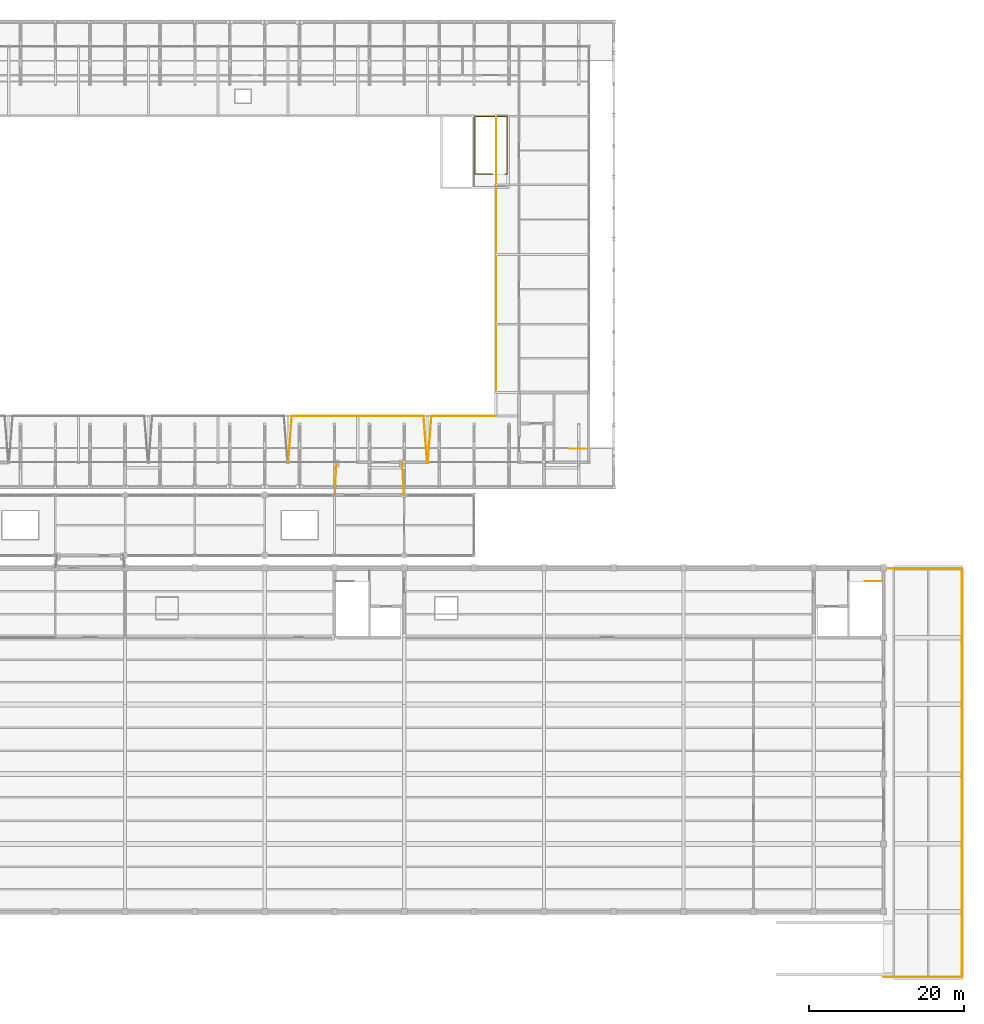
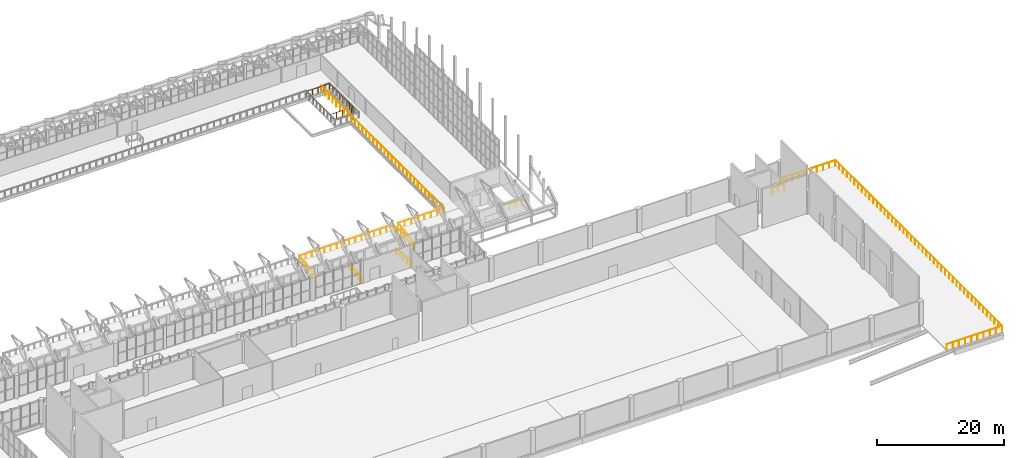
# One storey, part 134 of 134: 9 railings.
"""IFC4 building model written with IfcOpenShell, lengths in metres."""

from ifc_helpers import new_model, si_unit, direction, frame, origin, origin_2d, place, context, subcontext, project, spatial, circle, extrude, material, type_object, element, save


model = new_model("IFC4")

# Units and contexts
model_context = context("Model", 3, precision=1e-05, world=origin(), true_north=direction((0.0, 1.0)))
body_context = subcontext(model_context, "Body", "Model", "MODEL_VIEW")
ifc_project = project(units=[si_unit("LENGTHUNIT", "METRE"), si_unit("AREAUNIT", "SQUARE_METRE"), si_unit("VOLUMEUNIT", "CUBIC_METRE"), si_unit("PLANEANGLEUNIT", "RADIAN"), si_unit("MASSUNIT", "GRAM", prefix="KILO")], contexts=[model_context])

# Site, building, storey
site_placement = place(None, origin())
site = spatial("IfcSite", under=ifc_project, at=site_placement, CompositionType="ELEMENT")
building_placement = place(site_placement, origin())
building = spatial("IfcBuilding", under=site, at=building_placement, Name="Cazmaro Siding Exhibition Halls", CompositionType="ELEMENT")
storey_placement = place(building_placement, frame((0.0, 0.0, 12.0)))
storey = spatial("IfcBuildingStorey", under=building, at=storey_placement, Name="L02", CompositionType="ELEMENT", Elevation=12.0)

# Railings
ifc_material_1 = material(Name="Laminated Glass and Brushed Stainless Steel Balustrade", Category="steel")
railing_type_1 = type_object("IfcRailingType", Name="RL-BAL-01", PredefinedType="BALUSTRADE", material=ifc_material_1)
railing_1_placement = place(storey_placement, frame((135.050048828125, 63.0, 0.0)))
element("IfcRailing", 1, at=railing_1_placement, inside=storey, type_object=railing_type_1, Name="Bridge SB-02 West Guard L02 RL-BAL-01 RL-G043", PredefinedType="BALUSTRADE", context=body_context, shape_type="SweptSolid", body=[
    extrude(circle(Radius=0.02392578125, at=origin_2d()), frame((0.0, 0.0, 1.09619140625), z_axis=(0.047554114695, 0.998868663126, 0.0), x_axis=(-0.998868663126, 0.047554114695, 0.0)), (0.0, 0.0, 1.0), 4.20458984375),
    extrude(circle(Radius=0.02099609375, at=origin_2d()), origin(), (0.0, 0.0, 1.0), 1.072021484375),
    extrude(circle(Radius=0.02099609375, at=origin_2d()), frame((0.050048828125, 1.050048828125, 0.0)), (0.0, 0.0, 1.0), 1.072021484375),
    extrude(circle(Radius=0.02099609375, at=origin_2d()), frame((0.10009765625, 2.10009765625, 0.0)), (0.0, 0.0, 1.0), 1.072021484375),
    extrude(circle(Radius=0.02099609375, at=origin_2d()), frame((0.14990234375, 3.14990234375, 0.0)), (0.0, 0.0, 1.0), 1.072021484375),
    extrude(circle(Radius=0.02099609375, at=origin_2d()), frame((0.199951171875, 4.199951171875, 0.0)), (0.0, 0.0, 1.0), 1.072021484375),
])
railing_2_placement = place(storey_placement, frame((143.949951171875, 63.0, 0.0)))
element("IfcRailing", 2, at=railing_2_placement, inside=storey, type_object=railing_type_1, Name="Bridge SB-02 East Guard L02 RL-BAL-01 RL-G044", PredefinedType="BALUSTRADE", context=body_context, shape_type="SweptSolid", body=[
    extrude(circle(Radius=0.02392578125, at=origin_2d()), frame((0.0, 0.0, 1.09619140625), z_axis=(-0.047554114695, 0.998868663126, 0.0), x_axis=(-0.998868663126, -0.047554114695, 0.0)), (0.0, 0.0, 1.0), 4.20458984375),
    extrude(circle(Radius=0.02099609375, at=origin_2d()), origin(), (0.0, 0.0, 1.0), 1.072021484375),
    extrude(circle(Radius=0.02099609375, at=origin_2d()), frame((-0.050048828125, 1.050048828125, 0.0)), (0.0, 0.0, 1.0), 1.072021484375),
    extrude(circle(Radius=0.02099609375, at=origin_2d()), frame((-0.10009765625, 2.10009765625, 0.0)), (0.0, 0.0, 1.0), 1.072021484375),
    extrude(circle(Radius=0.02099609375, at=origin_2d()), frame((-0.14990234375, 3.14990234375, 0.0)), (0.0, 0.0, 1.0), 1.072021484375),
    extrude(circle(Radius=0.02099609375, at=origin_2d()), frame((-0.199951171875, 4.199951171875, 0.0)), (0.0, 0.0, 1.0), 1.072021484375),
])
ifc_material_2 = material(Name="Interior Laminated Glass and Brushed Stainless Steel Balustrade", Category="steel")
railing_type_2 = type_object("IfcRailingType", Name="RL-BAL-02", PredefinedType="BALUSTRADE", material=ifc_material_2)
railing_3_placement = place(storey_placement, frame((155.85009765625, 73.199951171875, 0.0)))
element("IfcRailing", 3, at=railing_3_placement, inside=storey, type_object=railing_type_2, Name="Hall A East Gallery Overlook Guard L02 RL-BAL-02 RL-G031", PredefinedType="BALUSTRADE", context=body_context, shape_type="SweptSolid", body=[
    extrude(circle(Radius=0.02392578125, at=origin_2d()), frame((0.0, 0.0, 1.09619140625), z_axis=(0.0, 1.0, 0.0), x_axis=(-1.0, 0.0, 0.0)), (0.0, 0.0, 1.0), 38.60009765625),
    extrude(circle(Radius=0.02099609375, at=origin_2d()), origin(), (0.0, 0.0, 1.0), 1.072021484375),
    extrude(circle(Radius=0.02099609375, at=origin_2d()), frame((0.0, 1.169677734375, 0.0)), (0.0, 0.0, 1.0), 1.072021484375),
    extrude(circle(Radius=0.02099609375, at=origin_2d()), frame((0.0, 2.33935546875, 0.0)), (0.0, 0.0, 1.0), 1.072021484375),
    extrude(circle(Radius=0.02099609375, at=origin_2d()), frame((0.0, 3.509033203125, 0.0)), (0.0, 0.0, 1.0), 1.072021484375),
    extrude(circle(Radius=0.02099609375, at=origin_2d()), frame((0.0, 4.6787109375, 0.0)), (0.0, 0.0, 1.0), 1.072021484375),
    extrude(circle(Radius=0.02099609375, at=origin_2d()), frame((0.0, 5.848388671875, 0.0)), (0.0, 0.0, 1.0), 1.072021484375),
    extrude(circle(Radius=0.02099609375, at=origin_2d()), frame((0.0, 7.018310546875, 0.0)), (0.0, 0.0, 1.0), 1.072021484375),
    extrude(circle(Radius=0.02099609375, at=origin_2d()), frame((0.0, 8.18798828125, 0.0)), (0.0, 0.0, 1.0), 1.072021484375),
    extrude(circle(Radius=0.02099609375, at=origin_2d()), frame((0.0, 9.357666015625, 0.0)), (0.0, 0.0, 1.0), 1.072021484375),
    extrude(circle(Radius=0.02099609375, at=origin_2d()), frame((0.0, 10.52734375, 0.0)), (0.0, 0.0, 1.0), 1.072021484375),
    extrude(circle(Radius=0.02099609375, at=origin_2d()), frame((0.0, 11.697021484375, 0.0)), (0.0, 0.0, 1.0), 1.072021484375),
    extrude(circle(Radius=0.02099609375, at=origin_2d()), frame((0.0, 12.86669921875, 0.0)), (0.0, 0.0, 1.0), 1.072021484375),
    extrude(circle(Radius=0.02099609375, at=origin_2d()), frame((0.0, 14.036376953125, 0.0)), (0.0, 0.0, 1.0), 1.072021484375),
    extrude(circle(Radius=0.02099609375, at=origin_2d()), frame((0.0, 15.2060546875, 0.0)), (0.0, 0.0, 1.0), 1.072021484375),
    extrude(circle(Radius=0.02099609375, at=origin_2d()), frame((0.0, 16.375732421875, 0.0)), (0.0, 0.0, 1.0), 1.072021484375),
    extrude(circle(Radius=0.02099609375, at=origin_2d()), frame((0.0, 17.54541015625, 0.0)), (0.0, 0.0, 1.0), 1.072021484375),
    extrude(circle(Radius=0.02099609375, at=origin_2d()), frame((0.0, 18.715087890625, 0.0)), (0.0, 0.0, 1.0), 1.072021484375),
    extrude(circle(Radius=0.02099609375, at=origin_2d()), frame((0.0, 19.885009765625, 0.0)), (0.0, 0.0, 1.0), 1.072021484375),
    extrude(circle(Radius=0.02099609375, at=origin_2d()), frame((0.0, 21.0546875, 0.0)), (0.0, 0.0, 1.0), 1.072021484375),
    extrude(circle(Radius=0.02099609375, at=origin_2d()), frame((0.0, 22.224365234375, 0.0)), (0.0, 0.0, 1.0), 1.072021484375),
    extrude(circle(Radius=0.02099609375, at=origin_2d()), frame((0.0, 23.39404296875, 0.0)), (0.0, 0.0, 1.0), 1.072021484375),
    extrude(circle(Radius=0.02099609375, at=origin_2d()), frame((0.0, 24.563720703125, 0.0)), (0.0, 0.0, 1.0), 1.072021484375),
    extrude(circle(Radius=0.02099609375, at=origin_2d()), frame((0.0, 25.7333984375, 0.0)), (0.0, 0.0, 1.0), 1.072021484375),
    extrude(circle(Radius=0.02099609375, at=origin_2d()), frame((0.0, 26.903076171875, 0.0)), (0.0, 0.0, 1.0), 1.072021484375),
    extrude(circle(Radius=0.02099609375, at=origin_2d()), frame((0.0, 28.07275390625, 0.0)), (0.0, 0.0, 1.0), 1.072021484375),
    extrude(circle(Radius=0.02099609375, at=origin_2d()), frame((0.0, 29.242431640625, 0.0)), (0.0, 0.0, 1.0), 1.072021484375),
    extrude(circle(Radius=0.02099609375, at=origin_2d()), frame((0.0, 30.412109375, 0.0)), (0.0, 0.0, 1.0), 1.072021484375),
    extrude(circle(Radius=0.02099609375, at=origin_2d()), frame((0.0, 31.581787109375, 0.0)), (0.0, 0.0, 1.0), 1.072021484375),
    extrude(circle(Radius=0.02099609375, at=origin_2d()), frame((0.0, 32.751708984375, 0.0)), (0.0, 0.0, 1.0), 1.072021484375),
    extrude(circle(Radius=0.02099609375, at=origin_2d()), frame((0.0, 33.92138671875, 0.0)), (0.0, 0.0, 1.0), 1.072021484375),
    extrude(circle(Radius=0.02099609375, at=origin_2d()), frame((0.0, 35.091064453125, 0.0)), (0.0, 0.0, 1.0), 1.072021484375),
    extrude(circle(Radius=0.02099609375, at=origin_2d()), frame((0.0, 36.2607421875, 0.0)), (0.0, 0.0, 1.0), 1.072021484375),
    extrude(circle(Radius=0.02099609375, at=origin_2d()), frame((0.0, 37.430419921875, 0.0)), (0.0, 0.0, 1.0), 1.072021484375),
    extrude(circle(Radius=0.02099609375, at=origin_2d()), frame((0.0, 38.60009765625, 0.0)), (0.0, 0.0, 1.0), 1.072021484375),
])
railing_4_placement = place(storey_placement, frame((129.050048828125, 67.25, 0.0)))
element("IfcRailing", 4, at=railing_4_placement, inside=storey, type_object=railing_type_2, Name="Hall A South Catwalk Guard L02 RL-BAL-02 RL-G037", PredefinedType="BALUSTRADE", context=body_context, shape_type="SweptSolid", body=[
    extrude(circle(Radius=0.02392578125, at=origin_2d()), frame((0.0, 0.0, 1.09619140625), z_axis=(0.076043350844, 0.997104512472, 0.0), x_axis=(-0.997104512472, 0.076043350844, 0.0)), (0.0, 0.0, 1.0), 5.9169921875),
    extrude(circle(Radius=0.02392578125, at=origin_2d()), frame((0.449951171875, 5.89990234375, 1.09619140625), z_axis=(1.0, 0.0, 0.0), x_axis=(0.0, 1.0, 0.0)), (0.0, 0.0, 1.0), 17.0),
    extrude(circle(Radius=0.02392578125, at=origin_2d()), frame((17.449951171875, 5.89990234375, 1.09619140625), z_axis=(0.076043350844, -0.997104512472, 0.0), x_axis=(0.997104512472, 0.076043350844, 0.0)), (0.0, 0.0, 1.0), 5.9169921875),
    extrude(circle(Radius=0.02099609375, at=origin_2d()), origin(), (0.0, 0.0, 1.0), 1.072021484375),
    extrude(circle(Radius=0.02099609375, at=origin_2d()), frame((0.090087890625, 1.179931640625, 0.0)), (0.0, 0.0, 1.0), 1.072021484375),
    extrude(circle(Radius=0.02099609375, at=origin_2d()), frame((0.179931640625, 2.35986328125, 0.0)), (0.0, 0.0, 1.0), 1.072021484375),
    extrude(circle(Radius=0.02099609375, at=origin_2d()), frame((0.27001953125, 3.5400390625, 0.0)), (0.0, 0.0, 1.0), 1.072021484375),
    extrude(circle(Radius=0.02099609375, at=origin_2d()), frame((0.35986328125, 4.719970703125, 0.0)), (0.0, 0.0, 1.0), 1.072021484375),
    extrude(circle(Radius=0.02099609375, at=origin_2d()), frame((0.449951171875, 5.89990234375, 0.0)), (0.0, 0.0, 1.0), 1.072021484375),
    extrude(circle(Radius=0.02099609375, at=origin_2d()), frame((1.583251953125, 5.89990234375, 0.0)), (0.0, 0.0, 1.0), 1.072021484375),
    extrude(circle(Radius=0.02099609375, at=origin_2d()), frame((2.716552734375, 5.89990234375, 0.0)), (0.0, 0.0, 1.0), 1.072021484375),
    extrude(circle(Radius=0.02099609375, at=origin_2d()), frame((3.849853515625, 5.89990234375, 0.0)), (0.0, 0.0, 1.0), 1.072021484375),
    extrude(circle(Radius=0.02099609375, at=origin_2d()), frame((4.9833984375, 5.89990234375, 0.0)), (0.0, 0.0, 1.0), 1.072021484375),
    extrude(circle(Radius=0.02099609375, at=origin_2d()), frame((6.11669921875, 5.89990234375, 0.0)), (0.0, 0.0, 1.0), 1.072021484375),
    extrude(circle(Radius=0.02099609375, at=origin_2d()), frame((7.25, 5.89990234375, 0.0)), (0.0, 0.0, 1.0), 1.072021484375),
    extrude(circle(Radius=0.02099609375, at=origin_2d()), frame((8.38330078125, 5.89990234375, 0.0)), (0.0, 0.0, 1.0), 1.072021484375),
    extrude(circle(Radius=0.02099609375, at=origin_2d()), frame((9.5166015625, 5.89990234375, 0.0)), (0.0, 0.0, 1.0), 1.072021484375),
    extrude(circle(Radius=0.02099609375, at=origin_2d()), frame((10.64990234375, 5.89990234375, 0.0)), (0.0, 0.0, 1.0), 1.072021484375),
    extrude(circle(Radius=0.02099609375, at=origin_2d()), frame((11.783203125, 5.89990234375, 0.0)), (0.0, 0.0, 1.0), 1.072021484375),
    extrude(circle(Radius=0.02099609375, at=origin_2d()), frame((12.91650390625, 5.89990234375, 0.0)), (0.0, 0.0, 1.0), 1.072021484375),
    extrude(circle(Radius=0.02099609375, at=origin_2d()), frame((14.050048828125, 5.89990234375, 0.0)), (0.0, 0.0, 1.0), 1.072021484375),
    extrude(circle(Radius=0.02099609375, at=origin_2d()), frame((15.183349609375, 5.89990234375, 0.0)), (0.0, 0.0, 1.0), 1.072021484375),
    extrude(circle(Radius=0.02099609375, at=origin_2d()), frame((16.316650390625, 5.89990234375, 0.0)), (0.0, 0.0, 1.0), 1.072021484375),
    extrude(circle(Radius=0.02099609375, at=origin_2d()), frame((17.449951171875, 5.89990234375, 0.0)), (0.0, 0.0, 1.0), 1.072021484375),
    extrude(circle(Radius=0.02099609375, at=origin_2d()), frame((17.5400390625, 4.719970703125, 0.0)), (0.0, 0.0, 1.0), 1.072021484375),
    extrude(circle(Radius=0.02099609375, at=origin_2d()), frame((17.6298828125, 3.5400390625, 0.0)), (0.0, 0.0, 1.0), 1.072021484375),
    extrude(circle(Radius=0.02099609375, at=origin_2d()), frame((17.719970703125, 2.35986328125, 0.0)), (0.0, 0.0, 1.0), 1.072021484375),
    extrude(circle(Radius=0.02099609375, at=origin_2d()), frame((17.809814453125, 1.179931640625, 0.0)), (0.0, 0.0, 1.0), 1.072021484375),
    extrude(circle(Radius=0.02099609375, at=origin_2d()), frame((17.89990234375, 0.0, 0.0)), (0.0, 0.0, 1.0), 1.072021484375),
])
railing_5_placement = place(storey_placement, frame((147.050048828125, 67.25, 0.0)))
element("IfcRailing", 5, at=railing_5_placement, inside=storey, type_object=railing_type_2, Name="Hall A South Catwalk Guard L02 RL-BAL-02 RL-G038", PredefinedType="BALUSTRADE", context=body_context, shape_type="SweptSolid", body=[
    extrude(circle(Radius=0.02392578125, at=origin_2d()), frame((0.0, 0.0, 1.09619140625), z_axis=(0.076043350844, 0.997104512472, 0.0), x_axis=(-0.997104512472, 0.076043350844, 0.0)), (0.0, 0.0, 1.0), 5.9169921875),
    extrude(circle(Radius=0.02392578125, at=origin_2d()), frame((0.449951171875, 5.89990234375, 1.09619140625), z_axis=(1.0, 0.0, 0.0), x_axis=(0.0, 1.0, 0.0)), (0.0, 0.0, 1.0), 8.35009765625),
    extrude(circle(Radius=0.02099609375, at=origin_2d()), origin(), (0.0, 0.0, 1.0), 1.072021484375),
    extrude(circle(Radius=0.02099609375, at=origin_2d()), frame((0.090087890625, 1.179931640625, 0.0)), (0.0, 0.0, 1.0), 1.072021484375),
    extrude(circle(Radius=0.02099609375, at=origin_2d()), frame((0.179931640625, 2.35986328125, 0.0)), (0.0, 0.0, 1.0), 1.072021484375),
    extrude(circle(Radius=0.02099609375, at=origin_2d()), frame((0.27001953125, 3.5400390625, 0.0)), (0.0, 0.0, 1.0), 1.072021484375),
    extrude(circle(Radius=0.02099609375, at=origin_2d()), frame((0.35986328125, 4.719970703125, 0.0)), (0.0, 0.0, 1.0), 1.072021484375),
    extrude(circle(Radius=0.02099609375, at=origin_2d()), frame((0.449951171875, 5.89990234375, 0.0)), (0.0, 0.0, 1.0), 1.072021484375),
    extrude(circle(Radius=0.02099609375, at=origin_2d()), frame((1.642822265625, 5.89990234375, 0.0)), (0.0, 0.0, 1.0), 1.072021484375),
    extrude(circle(Radius=0.02099609375, at=origin_2d()), frame((2.835693359375, 5.89990234375, 0.0)), (0.0, 0.0, 1.0), 1.072021484375),
    extrude(circle(Radius=0.02099609375, at=origin_2d()), frame((4.028564453125, 5.89990234375, 0.0)), (0.0, 0.0, 1.0), 1.072021484375),
    extrude(circle(Radius=0.02099609375, at=origin_2d()), frame((5.221435546875, 5.89990234375, 0.0)), (0.0, 0.0, 1.0), 1.072021484375),
    extrude(circle(Radius=0.02099609375, at=origin_2d()), frame((6.414306640625, 5.89990234375, 0.0)), (0.0, 0.0, 1.0), 1.072021484375),
    extrude(circle(Radius=0.02099609375, at=origin_2d()), frame((7.607177734375, 5.89990234375, 0.0)), (0.0, 0.0, 1.0), 1.072021484375),
    extrude(circle(Radius=0.02099609375, at=origin_2d()), frame((8.800048828125, 5.89990234375, 0.0)), (0.0, 0.0, 1.0), 1.072021484375),
])
ifc_material_3 = material(Name="Painted Steel Stairwell Guardrail", Category="steel")
railing_type_3 = type_object("IfcRailingType", Name="RL-GRD-01", PredefinedType="GUARDRAIL", material=ifc_material_3)
railing_6_placement = place(storey_placement, frame((165.3798828125, 68.93994140625, 0.0)))
element("IfcRailing", 6, at=railing_6_placement, inside=storey, type_object=railing_type_3, Name="Core C2 L02 Top Stairwell Guard RL-GRD-01 RL-SG008", PredefinedType="GUARDRAIL", context=body_context, shape_type="SweptSolid", body=[
    extrude(circle(Radius=0.02392578125, at=origin_2d()), frame((0.0, 0.0, 1.09619140625), z_axis=(1.0, 0.0, 0.0), x_axis=(0.0, 1.0, 0.0)), (0.0, 0.0, 1.0), 2.205078125),
    extrude(circle(Radius=0.02099609375, at=origin_2d()), origin(), (0.0, 0.0, 1.0), 1.072021484375),
    extrude(circle(Radius=0.02099609375, at=origin_2d()), frame((1.1025390625, 0.0, 0.0)), (0.0, 0.0, 1.0), 1.072021484375),
    extrude(circle(Radius=0.02099609375, at=origin_2d()), frame((2.205078125, 0.0, 0.0)), (0.0, 0.0, 1.0), 1.072021484375),
])
railing_7_placement = place(storey_placement, frame((203.389892578125, 51.860107421875, 0.0)))
element("IfcRailing", 7, at=railing_7_placement, inside=storey, type_object=railing_type_3, Name="Core C5 L02 Top Stairwell Guard RL-GRD-01 RL-SG020", PredefinedType="GUARDRAIL", context=body_context, shape_type="SweptSolid", body=[
    extrude(circle(Radius=0.02392578125, at=origin_2d()), frame((0.0, 0.0, 1.09619140625), z_axis=(1.0, 0.0, 0.0), x_axis=(0.0, 1.0, 0.0)), (0.0, 0.0, 1.0), 2.195068359375),
    extrude(circle(Radius=0.02099609375, at=origin_2d()), origin(), (0.0, 0.0, 1.0), 1.072021484375),
    extrude(circle(Radius=0.02099609375, at=origin_2d()), frame((1.09765625, 0.0, 0.0)), (0.0, 0.0, 1.0), 1.072021484375),
    extrude(circle(Radius=0.02099609375, at=origin_2d()), frame((2.195068359375, 0.0, 0.0)), (0.0, 0.0, 1.0), 1.072021484375),
])
railing_8_placement = place(storey_placement, frame((155.35498046875, 104.360107421875, 0.0)))
element("IfcRailing", 8, at=railing_8_placement, inside=storey, type_object=railing_type_3, Name="ST-25 Upper Stairwell Guard RL-GRD-01 RL-SG054", PredefinedType="GUARDRAIL", context=body_context, shape_type="SweptSolid", body=[
    extrude(circle(Radius=0.02392578125, at=origin_2d()), frame((0.0, 0.0, 1.09619140625), z_axis=(-1.0, 0.0, 0.0), x_axis=(0.0, -1.0, 0.0)), (0.0, 0.0, 1.0), 2.244873046875),
    extrude(circle(Radius=0.02392578125, at=origin_2d()), frame((-2.244873046875, 0.0, 1.09619140625), z_axis=(0.0, 1.0, 0.0), x_axis=(-1.0, 0.0, 0.0)), (0.0, 0.0, 1.0), 7.429931640625),
    extrude(circle(Radius=0.02392578125, at=origin_2d()), frame((-2.244873046875, 7.429931640625, 1.09619140625), z_axis=(1.0, 0.0, 0.0), x_axis=(0.0, 1.0, 0.0)), (0.0, 0.0, 1.0), 4.1298828125),
    extrude(circle(Radius=0.02392578125, at=origin_2d()), frame((1.885009765625, 7.429931640625, 1.09619140625), z_axis=(0.0, -1.0, 0.0), x_axis=(1.0, 0.0, 0.0)), (0.0, 0.0, 1.0), 7.429931640625),
    extrude(circle(Radius=0.02392578125, at=origin_2d()), frame((1.885009765625, 0.0, 1.09619140625), z_axis=(-1.0, 0.0, 0.0), x_axis=(0.0, -1.0, 0.0)), (0.0, 0.0, 1.0), 0.235107421875),
    extrude(circle(Radius=0.02099609375, at=origin_2d()), origin(), (0.0, 0.0, 1.0), 1.072021484375),
    extrude(circle(Radius=0.02099609375, at=origin_2d()), frame((-1.12255859375, 0.0, 0.0)), (0.0, 0.0, 1.0), 1.072021484375),
    extrude(circle(Radius=0.02099609375, at=origin_2d()), frame((-2.244873046875, 0.0, 0.0)), (0.0, 0.0, 1.0), 1.072021484375),
    extrude(circle(Radius=0.02099609375, at=origin_2d()), frame((-2.244873046875, 1.0615234375, 0.0)), (0.0, 0.0, 1.0), 1.072021484375),
    extrude(circle(Radius=0.02099609375, at=origin_2d()), frame((-2.244873046875, 2.122802734375, 0.0)), (0.0, 0.0, 1.0), 1.072021484375),
    extrude(circle(Radius=0.02099609375, at=origin_2d()), frame((-2.244873046875, 3.184326171875, 0.0)), (0.0, 0.0, 1.0), 1.072021484375),
    extrude(circle(Radius=0.02099609375, at=origin_2d()), frame((-2.244873046875, 4.24560546875, 0.0)), (0.0, 0.0, 1.0), 1.072021484375),
    extrude(circle(Radius=0.02099609375, at=origin_2d()), frame((-2.244873046875, 5.30712890625, 0.0)), (0.0, 0.0, 1.0), 1.072021484375),
    extrude(circle(Radius=0.02099609375, at=origin_2d()), frame((-2.244873046875, 6.368408203125, 0.0)), (0.0, 0.0, 1.0), 1.072021484375),
    extrude(circle(Radius=0.02099609375, at=origin_2d()), frame((-2.244873046875, 7.429931640625, 0.0)), (0.0, 0.0, 1.0), 1.072021484375),
    extrude(circle(Radius=0.02099609375, at=origin_2d()), frame((-1.21240234375, 7.429931640625, 0.0)), (0.0, 0.0, 1.0), 1.072021484375),
    extrude(circle(Radius=0.02099609375, at=origin_2d()), frame((-0.179931640625, 7.429931640625, 0.0)), (0.0, 0.0, 1.0), 1.072021484375),
    extrude(circle(Radius=0.02099609375, at=origin_2d()), frame((0.8525390625, 7.429931640625, 0.0)), (0.0, 0.0, 1.0), 1.072021484375),
    extrude(circle(Radius=0.02099609375, at=origin_2d()), frame((1.885009765625, 7.429931640625, 0.0)), (0.0, 0.0, 1.0), 1.072021484375),
    extrude(circle(Radius=0.02099609375, at=origin_2d()), frame((1.885009765625, 6.368408203125, 0.0)), (0.0, 0.0, 1.0), 1.072021484375),
    extrude(circle(Radius=0.02099609375, at=origin_2d()), frame((1.885009765625, 5.30712890625, 0.0)), (0.0, 0.0, 1.0), 1.072021484375),
    extrude(circle(Radius=0.02099609375, at=origin_2d()), frame((1.885009765625, 4.24560546875, 0.0)), (0.0, 0.0, 1.0), 1.072021484375),
    extrude(circle(Radius=0.02099609375, at=origin_2d()), frame((1.885009765625, 3.184326171875, 0.0)), (0.0, 0.0, 1.0), 1.072021484375),
    extrude(circle(Radius=0.02099609375, at=origin_2d()), frame((1.885009765625, 2.122802734375, 0.0)), (0.0, 0.0, 1.0), 1.072021484375),
    extrude(circle(Radius=0.02099609375, at=origin_2d()), frame((1.885009765625, 1.0615234375, 0.0)), (0.0, 0.0, 1.0), 1.072021484375),
    extrude(circle(Radius=0.02099609375, at=origin_2d()), frame((1.885009765625, 0.0, 0.0)), (0.0, 0.0, 1.0), 1.072021484375),
    extrude(circle(Radius=0.02099609375, at=origin_2d()), frame((1.64990234375, 0.0, 0.0)), (0.0, 0.0, 1.0), 1.072021484375),
])
ifc_material_4 = material(Name="Heavy-Duty Painted Steel Crash Guardrail", Category="steel")
railing_type_4 = type_object("IfcRailingType", Name="RL-GRD-02", PredefinedType="GUARDRAIL", material=ifc_material_4)
railing_9_placement = place(storey_placement, frame((205.800048828125, 0.85009765625, 0.0)))
element("IfcRailing", 9, at=railing_9_placement, inside=storey, type_object=railing_type_4, Name="Upper Truck Apron Crash Guard RL-GRD-02 RL-G068", PredefinedType="GUARDRAIL", context=body_context, shape_type="SweptSolid", body=[
    extrude(circle(Radius=0.02392578125, at=origin_2d()), frame((0.0, 0.0, 1.1259765625), z_axis=(1.0, 0.0, 0.0), x_axis=(0.0, 1.0, 0.0)), (0.0, 0.0, 1.0), 10.099853515625),
    extrude(circle(Radius=0.02392578125, at=origin_2d()), frame((10.099853515625, 0.0, 1.1259765625), z_axis=(0.0, 1.0, 0.0), x_axis=(-1.0, 0.0, 0.0)), (0.0, 0.0, 1.0), 52.64990234375),
    extrude(circle(Radius=0.02392578125, at=origin_2d()), frame((10.099853515625, 52.64990234375, 1.1259765625), z_axis=(-1.0, 0.0, 0.0), x_axis=(0.0, -1.0, 0.0)), (0.0, 0.0, 1.0), 10.099853515625),
    extrude(circle(Radius=0.02099609375, at=origin_2d()), origin(), (0.0, 0.0, 1.0), 1.101806640625),
    extrude(circle(Radius=0.02099609375, at=origin_2d()), frame((1.122314453125, 0.0, 0.0)), (0.0, 0.0, 1.0), 1.101806640625),
    extrude(circle(Radius=0.02099609375, at=origin_2d()), frame((2.244384765625, 0.0, 0.0)), (0.0, 0.0, 1.0), 1.101806640625),
    extrude(circle(Radius=0.02099609375, at=origin_2d()), frame((3.36669921875, 0.0, 0.0)), (0.0, 0.0, 1.0), 1.101806640625),
    extrude(circle(Radius=0.02099609375, at=origin_2d()), frame((4.48876953125, 0.0, 0.0)), (0.0, 0.0, 1.0), 1.101806640625),
    extrude(circle(Radius=0.02099609375, at=origin_2d()), frame((5.611083984375, 0.0, 0.0)), (0.0, 0.0, 1.0), 1.101806640625),
    extrude(circle(Radius=0.02099609375, at=origin_2d()), frame((6.733154296875, 0.0, 0.0)), (0.0, 0.0, 1.0), 1.101806640625),
    extrude(circle(Radius=0.02099609375, at=origin_2d()), frame((7.85546875, 0.0, 0.0)), (0.0, 0.0, 1.0), 1.101806640625),
    extrude(circle(Radius=0.02099609375, at=origin_2d()), frame((8.9775390625, 0.0, 0.0)), (0.0, 0.0, 1.0), 1.101806640625),
    extrude(circle(Radius=0.02099609375, at=origin_2d()), frame((10.099853515625, 0.0, 0.0)), (0.0, 0.0, 1.0), 1.101806640625),
    extrude(circle(Radius=0.02099609375, at=origin_2d()), frame((10.099853515625, 1.196533203125, 0.0)), (0.0, 0.0, 1.0), 1.101806640625),
    extrude(circle(Radius=0.02099609375, at=origin_2d()), frame((10.099853515625, 2.39306640625, 0.0)), (0.0, 0.0, 1.0), 1.101806640625),
    extrude(circle(Radius=0.02099609375, at=origin_2d()), frame((10.099853515625, 3.58984375, 0.0)), (0.0, 0.0, 1.0), 1.101806640625),
    extrude(circle(Radius=0.02099609375, at=origin_2d()), frame((10.099853515625, 4.786376953125, 0.0)), (0.0, 0.0, 1.0), 1.101806640625),
    extrude(circle(Radius=0.02099609375, at=origin_2d()), frame((10.099853515625, 5.98291015625, 0.0)), (0.0, 0.0, 1.0), 1.101806640625),
    extrude(circle(Radius=0.02099609375, at=origin_2d()), frame((10.099853515625, 7.179443359375, 0.0)), (0.0, 0.0, 1.0), 1.101806640625),
    extrude(circle(Radius=0.02099609375, at=origin_2d()), frame((10.099853515625, 8.376220703125, 0.0)), (0.0, 0.0, 1.0), 1.101806640625),
    extrude(circle(Radius=0.02099609375, at=origin_2d()), frame((10.099853515625, 9.57275390625, 0.0)), (0.0, 0.0, 1.0), 1.101806640625),
    extrude(circle(Radius=0.02099609375, at=origin_2d()), frame((10.099853515625, 10.769287109375, 0.0)), (0.0, 0.0, 1.0), 1.101806640625),
    extrude(circle(Radius=0.02099609375, at=origin_2d()), frame((10.099853515625, 11.9658203125, 0.0)), (0.0, 0.0, 1.0), 1.101806640625),
    extrude(circle(Radius=0.02099609375, at=origin_2d()), frame((10.099853515625, 13.16259765625, 0.0)), (0.0, 0.0, 1.0), 1.101806640625),
    extrude(circle(Radius=0.02099609375, at=origin_2d()), frame((10.099853515625, 14.359130859375, 0.0)), (0.0, 0.0, 1.0), 1.101806640625),
    extrude(circle(Radius=0.02099609375, at=origin_2d()), frame((10.099853515625, 15.5556640625, 0.0)), (0.0, 0.0, 1.0), 1.101806640625),
    extrude(circle(Radius=0.02099609375, at=origin_2d()), frame((10.099853515625, 16.752197265625, 0.0)), (0.0, 0.0, 1.0), 1.101806640625),
    extrude(circle(Radius=0.02099609375, at=origin_2d()), frame((10.099853515625, 17.94873046875, 0.0)), (0.0, 0.0, 1.0), 1.101806640625),
    extrude(circle(Radius=0.02099609375, at=origin_2d()), frame((10.099853515625, 19.1455078125, 0.0)), (0.0, 0.0, 1.0), 1.101806640625),
    extrude(circle(Radius=0.02099609375, at=origin_2d()), frame((10.099853515625, 20.342041015625, 0.0)), (0.0, 0.0, 1.0), 1.101806640625),
    extrude(circle(Radius=0.02099609375, at=origin_2d()), frame((10.099853515625, 21.53857421875, 0.0)), (0.0, 0.0, 1.0), 1.101806640625),
    extrude(circle(Radius=0.02099609375, at=origin_2d()), frame((10.099853515625, 22.735107421875, 0.0)), (0.0, 0.0, 1.0), 1.101806640625),
    extrude(circle(Radius=0.02099609375, at=origin_2d()), frame((10.099853515625, 23.931884765625, 0.0)), (0.0, 0.0, 1.0), 1.101806640625),
    extrude(circle(Radius=0.02099609375, at=origin_2d()), frame((10.099853515625, 25.12841796875, 0.0)), (0.0, 0.0, 1.0), 1.101806640625),
    extrude(circle(Radius=0.02099609375, at=origin_2d()), frame((10.099853515625, 26.324951171875, 0.0)), (0.0, 0.0, 1.0), 1.101806640625),
    extrude(circle(Radius=0.02099609375, at=origin_2d()), frame((10.099853515625, 27.521484375, 0.0)), (0.0, 0.0, 1.0), 1.101806640625),
    extrude(circle(Radius=0.02099609375, at=origin_2d()), frame((10.099853515625, 28.718017578125, 0.0)), (0.0, 0.0, 1.0), 1.101806640625),
    extrude(circle(Radius=0.02099609375, at=origin_2d()), frame((10.099853515625, 29.914794921875, 0.0)), (0.0, 0.0, 1.0), 1.101806640625),
    extrude(circle(Radius=0.02099609375, at=origin_2d()), frame((10.099853515625, 31.111328125, 0.0)), (0.0, 0.0, 1.0), 1.101806640625),
    extrude(circle(Radius=0.02099609375, at=origin_2d()), frame((10.099853515625, 32.307861328125, 0.0)), (0.0, 0.0, 1.0), 1.101806640625),
    extrude(circle(Radius=0.02099609375, at=origin_2d()), frame((10.099853515625, 33.50439453125, 0.0)), (0.0, 0.0, 1.0), 1.101806640625),
    extrude(circle(Radius=0.02099609375, at=origin_2d()), frame((10.099853515625, 34.701171875, 0.0)), (0.0, 0.0, 1.0), 1.101806640625),
    extrude(circle(Radius=0.02099609375, at=origin_2d()), frame((10.099853515625, 35.897705078125, 0.0)), (0.0, 0.0, 1.0), 1.101806640625),
    extrude(circle(Radius=0.02099609375, at=origin_2d()), frame((10.099853515625, 37.09423828125, 0.0)), (0.0, 0.0, 1.0), 1.101806640625),
    extrude(circle(Radius=0.02099609375, at=origin_2d()), frame((10.099853515625, 38.290771484375, 0.0)), (0.0, 0.0, 1.0), 1.101806640625),
    extrude(circle(Radius=0.02099609375, at=origin_2d()), frame((10.099853515625, 39.4873046875, 0.0)), (0.0, 0.0, 1.0), 1.101806640625),
    extrude(circle(Radius=0.02099609375, at=origin_2d()), frame((10.099853515625, 40.68408203125, 0.0)), (0.0, 0.0, 1.0), 1.101806640625),
    extrude(circle(Radius=0.02099609375, at=origin_2d()), frame((10.099853515625, 41.880615234375, 0.0)), (0.0, 0.0, 1.0), 1.101806640625),
    extrude(circle(Radius=0.02099609375, at=origin_2d()), frame((10.099853515625, 43.0771484375, 0.0)), (0.0, 0.0, 1.0), 1.101806640625),
    extrude(circle(Radius=0.02099609375, at=origin_2d()), frame((10.099853515625, 44.273681640625, 0.0)), (0.0, 0.0, 1.0), 1.101806640625),
    extrude(circle(Radius=0.02099609375, at=origin_2d()), frame((10.099853515625, 45.470458984375, 0.0)), (0.0, 0.0, 1.0), 1.101806640625),
    extrude(circle(Radius=0.02099609375, at=origin_2d()), frame((10.099853515625, 46.6669921875, 0.0)), (0.0, 0.0, 1.0), 1.101806640625),
    extrude(circle(Radius=0.02099609375, at=origin_2d()), frame((10.099853515625, 47.863525390625, 0.0)), (0.0, 0.0, 1.0), 1.101806640625),
    extrude(circle(Radius=0.02099609375, at=origin_2d()), frame((10.099853515625, 49.06005859375, 0.0)), (0.0, 0.0, 1.0), 1.101806640625),
    extrude(circle(Radius=0.02099609375, at=origin_2d()), frame((10.099853515625, 50.2568359375, 0.0)), (0.0, 0.0, 1.0), 1.101806640625),
    extrude(circle(Radius=0.02099609375, at=origin_2d()), frame((10.099853515625, 51.453369140625, 0.0)), (0.0, 0.0, 1.0), 1.101806640625),
    extrude(circle(Radius=0.02099609375, at=origin_2d()), frame((10.099853515625, 52.64990234375, 0.0)), (0.0, 0.0, 1.0), 1.101806640625),
    extrude(circle(Radius=0.02099609375, at=origin_2d()), frame((8.9775390625, 52.64990234375, 0.0)), (0.0, 0.0, 1.0), 1.101806640625),
    extrude(circle(Radius=0.02099609375, at=origin_2d()), frame((7.85546875, 52.64990234375, 0.0)), (0.0, 0.0, 1.0), 1.101806640625),
    extrude(circle(Radius=0.02099609375, at=origin_2d()), frame((6.733154296875, 52.64990234375, 0.0)), (0.0, 0.0, 1.0), 1.101806640625),
    extrude(circle(Radius=0.02099609375, at=origin_2d()), frame((5.611083984375, 52.64990234375, 0.0)), (0.0, 0.0, 1.0), 1.101806640625),
    extrude(circle(Radius=0.02099609375, at=origin_2d()), frame((4.48876953125, 52.64990234375, 0.0)), (0.0, 0.0, 1.0), 1.101806640625),
    extrude(circle(Radius=0.02099609375, at=origin_2d()), frame((3.36669921875, 52.64990234375, 0.0)), (0.0, 0.0, 1.0), 1.101806640625),
    extrude(circle(Radius=0.02099609375, at=origin_2d()), frame((2.244384765625, 52.64990234375, 0.0)), (0.0, 0.0, 1.0), 1.101806640625),
    extrude(circle(Radius=0.02099609375, at=origin_2d()), frame((1.122314453125, 52.64990234375, 0.0)), (0.0, 0.0, 1.0), 1.101806640625),
    extrude(circle(Radius=0.02099609375, at=origin_2d()), frame((0.0, 52.64990234375, 0.0)), (0.0, 0.0, 1.0), 1.101806640625),
])

save(model, "model.ifc")
